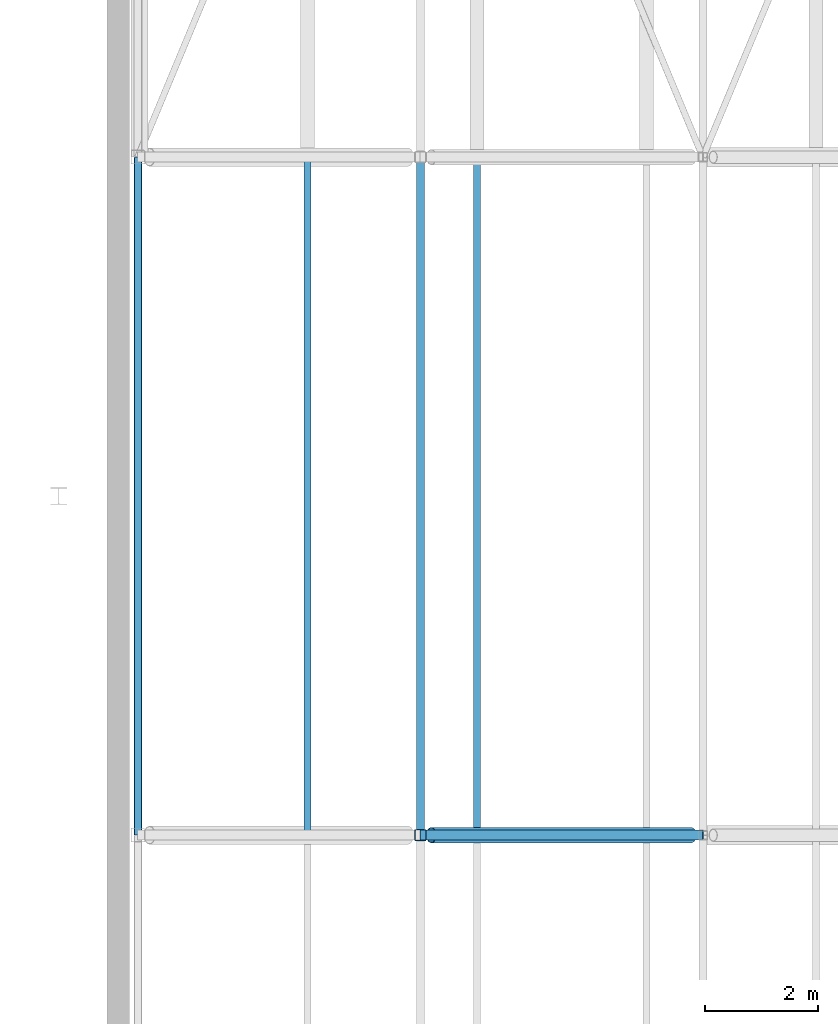
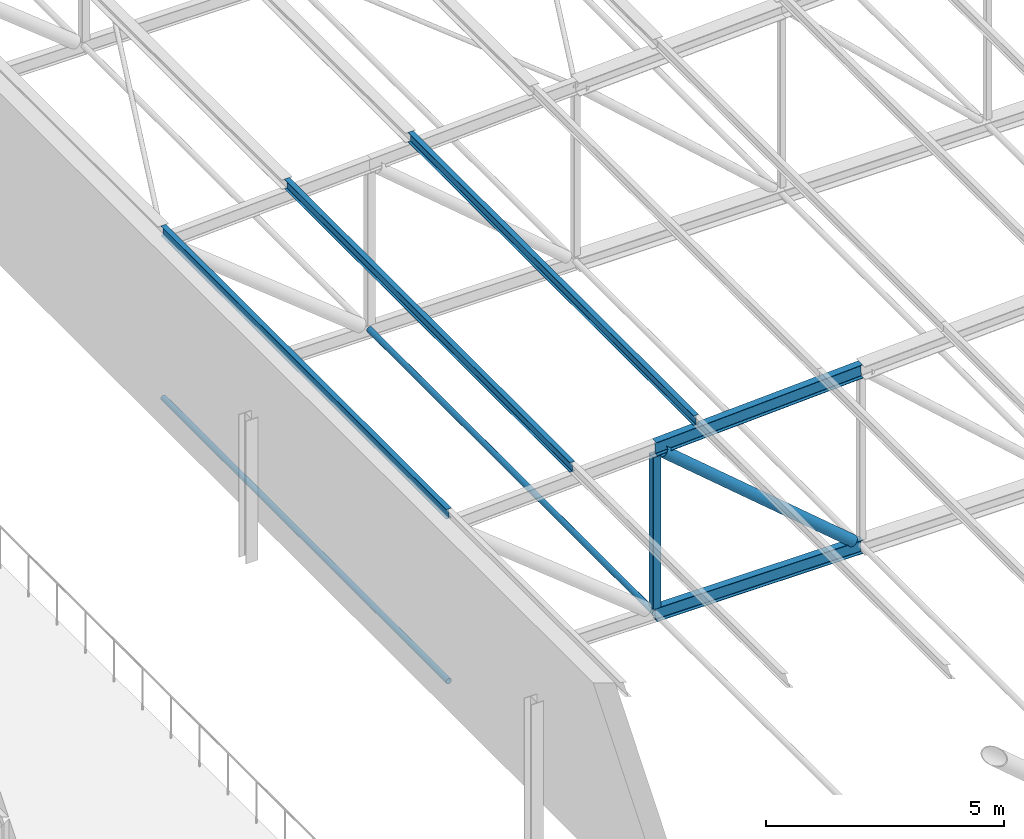
# One storey, part 89 of 156: 9 members.
"""IFC4 building model written with IfcOpenShell, lengths in metres."""

from ifc_helpers import new_model, si_unit, direction, frame, origin, origin_2d, place, context, subcontext, project, spatial, hollow_rectangle, hollow_circle, i_section, extrude, material, material_profile, profile_set, type_object, element, save


model = new_model("IFC4")

# Units and contexts
model_context = context("Model", 3, precision=1e-05, world=origin(), true_north=direction((0.0, 1.0)))
body_context = subcontext(model_context, "Body", "Model", "MODEL_VIEW")
ifc_project = project(units=[si_unit("LENGTHUNIT", "METRE"), si_unit("AREAUNIT", "SQUARE_METRE"), si_unit("VOLUMEUNIT", "CUBIC_METRE"), si_unit("PLANEANGLEUNIT", "RADIAN"), si_unit("MASSUNIT", "GRAM", prefix="KILO")], contexts=[model_context])

# Site, building, storey
site_placement = place(None, origin())
site = spatial("IfcSite", under=ifc_project, at=site_placement, CompositionType="ELEMENT")
building_placement = place(site_placement, origin())
building = spatial("IfcBuilding", under=site, at=building_placement, Name="Lilac Gate Convention Centre", CompositionType="ELEMENT")
storey_placement = place(building_placement, frame((0.0, 0.0, 17.0)))
storey = spatial("IfcBuildingStorey", under=building, at=storey_placement, Name="L03", CompositionType="ELEMENT", Elevation=17.0)

# Members
ifc_material = material(Name="Steel Q355B", Category="steel")
ifc_material_profile_1 = material_profile(ifc_material, hollow_circle(Radius=0.06982421875, WallThickness=0.0048828125, at=origin_2d()), Name="CHS139.7x5")
ifc_profile_set_1 = profile_set([ifc_material_profile_1], Name="Steel Q355B")
member_type_1 = type_object("IfcMemberType", Name="Bottom chord tie CHS139.7x5", PredefinedType="STRUT", material=ifc_profile_set_1)
for number, where, z_axis, x_axis, name in (
    (1, (30.0, 162.00341796875, 0.0), (0.0, 1.0, 0.0), (-1.0, 0.0, 0.0), "ST1 tie bay 12 node 1"),
    (2, (35.0, 162.00341796875, 0.0), (0.0, 1.0, 0.0), (-1.0, 0.0, 0.0), "ST1 tie bay 12 node 2"),
):
    element("IfcMember", number, at=place(storey_placement, frame(where, z_axis=z_axis, x_axis=x_axis)), inside=storey, type_object=member_type_1, Name=name, PredefinedType="STRUT", context=body_context, shape_type="SweptSolid", body=[
        extrude(hollow_circle(Radius=0.06982421875, WallThickness=0.0048828125, at=origin_2d()), origin(), (0.0, 0.0, 1.0), 11.9931640625),
    ])
ifc_material_profile_2 = material_profile(ifc_material, i_section(OverallWidth=0.125, OverallDepth=0.25, WebThickness=0.006103515625, FlangeThickness=0.009033203125, FilletRadius=0.008056640625, at=origin_2d()), Name="HN250x125x6x9")
ifc_profile_set_2 = profile_set([ifc_material_profile_2], Name="Steel Q355B")
member_type_2 = type_object("IfcMemberType", Name="Roof purlin HN250x125x6x9", PredefinedType="PURLIN", material=ifc_profile_set_2)
for number, where, z_axis, x_axis, name in (
    (3, (30.0, 162.0, 4.30029296875), (0.0, 1.0, 0.0), (-1.0, 0.0, 0.0), "PU2 purlin bay 12 line 1"),
    (4, (33.0, 162.0, 4.4501953125), (0.0, 1.0, 0.0), (-1.0, 0.0, 0.0), "PU2 purlin bay 12 line 2"),
    (5, (36.0, 162.0, 4.60009765625), (0.0, 1.0, 0.0), (-1.0, 0.0, 0.0), "PU2 purlin bay 12 line 3"),
):
    element("IfcMember", number, at=place(storey_placement, frame(where, z_axis=z_axis, x_axis=x_axis)), inside=storey, type_object=member_type_2, Name=name, PredefinedType="PURLIN", context=body_context, shape_type="SweptSolid", body=[
        extrude(i_section(OverallWidth=0.125, OverallDepth=0.25, WebThickness=0.006103515625, FlangeThickness=0.009033203125, FilletRadius=0.008056640625, at=origin_2d()), origin(), (0.0, 0.0, 1.0), 12.0),
    ])
ifc_material_profile_3 = material_profile(ifc_material, i_section(OverallWidth=0.175048828125, OverallDepth=0.35009765625, WebThickness=0.007080078125, FlangeThickness=0.010986328125, FilletRadius=0.012939453125, at=origin_2d()), Name="HN350x175x7x11")
ifc_profile_set_3 = profile_set([ifc_material_profile_3], Name="Steel Q355B")
member_type_3 = type_object("IfcMemberType", Name="Truss bottom chord HN350x175x7x11", PredefinedType="CHORD", material=ifc_profile_set_3)
member_1_placement = place(storey_placement, frame((35.0, 162.0, 0.0), z_axis=(1.0, 0.0, 0.0), x_axis=(0.0, 1.0, 0.0)))
element("IfcMember", 6, at=member_1_placement, inside=storey, type_object=member_type_3, Name="TB1 truss 12 bottom chord 2", PredefinedType="CHORD", context=body_context, shape_type="SweptSolid", body=[
    extrude(i_section(OverallWidth=0.175048828125, OverallDepth=0.35009765625, WebThickness=0.007080078125, FlangeThickness=0.010986328125, FilletRadius=0.012939453125, at=origin_2d()), origin(), (0.0, 0.0, 1.0), 5.0),
])
ifc_material_profile_4 = material_profile(ifc_material, hollow_circle(Radius=0.136474609375, WallThickness=0.010009765625, at=origin_2d()), Name="CHS273x10")
ifc_profile_set_4 = profile_set([ifc_material_profile_4], Name="Steel Q355B")
member_type_4 = type_object("IfcMemberType", Name="Truss diagonal CHS273x10", PredefinedType="BRACE", material=ifc_profile_set_4)
member_2_placement = place(storey_placement, frame((35.193115234375, 162.0, 4.085693359375), z_axis=(0.761961263863, 0.0, -0.647622600263), x_axis=(0.0, 1.0, 0.0)))
element("IfcMember", 7, at=member_2_placement, inside=storey, type_object=member_type_4, Name="TW2 truss 12 diagonal 2", PredefinedType="BRACE", context=body_context, shape_type="SweptSolid", body=[
    extrude(hollow_circle(Radius=0.136474609375, WallThickness=0.010009765625, at=origin_2d()), origin(), (0.0, 0.0, 1.0), 6.03857421875),
])
ifc_material_profile_5 = material_profile(ifc_material, i_section(OverallWidth=0.175048828125, OverallDepth=0.35009765625, WebThickness=0.007080078125, FlangeThickness=0.010986328125, FilletRadius=0.012939453125, at=origin_2d()), Name="HN350x175x7x11")
ifc_profile_set_5 = profile_set([ifc_material_profile_5], Name="Steel Q355B")
member_type_5 = type_object("IfcMemberType", Name="Truss top chord HN350x175x7x11", PredefinedType="CHORD", material=ifc_profile_set_5)
member_3_placement = place(storey_placement, frame((35.0, 162.0, 4.25), z_axis=(0.998752338878, 0.0, 0.049937616944), x_axis=(0.0, 1.0, 0.0)))
element("IfcMember", 8, at=member_3_placement, inside=storey, type_object=member_type_5, Name="TT1 truss 12 top chord 2", PredefinedType="CHORD", context=body_context, shape_type="SweptSolid", body=[
    extrude(i_section(OverallWidth=0.175048828125, OverallDepth=0.35009765625, WebThickness=0.007080078125, FlangeThickness=0.010986328125, FilletRadius=0.012939453125, at=origin_2d()), origin(), (0.0, 0.0, 1.0), 5.00634765625),
])
ifc_material_profile_6 = material_profile(ifc_material, hollow_rectangle(XDim=0.199951171875, YDim=0.199951171875, WallThickness=0.008056640625, InnerFilletRadius=0.011962890625, OuterFilletRadius=0.02001953125, at=origin_2d()), Name="SHS200x200x8")
ifc_profile_set_6 = profile_set([ifc_material_profile_6], Name="Steel Q355B")
member_type_6 = type_object("IfcMemberType", Name="Truss vertical SHS200x200x8", PredefinedType="STRUT", material=ifc_profile_set_6)
member_4_placement = place(storey_placement, frame((35.0, 162.0, 0.175048828125), z_axis=(0.0, 0.0, 1.0), x_axis=(1.0, 0.0, 0.0)))
element("IfcMember", 9, at=member_4_placement, inside=storey, type_object=member_type_6, Name="TV2 truss 12 vertical 2", PredefinedType="STRUT", context=body_context, shape_type="SweptSolid", body=[
    extrude(hollow_rectangle(XDim=0.199951171875, YDim=0.199951171875, WallThickness=0.008056640625, InnerFilletRadius=0.011962890625, OuterFilletRadius=0.02001953125, at=origin_2d()), origin(), (0.0, 0.0, 1.0), 3.899658203125),
])

save(model, "model.ifc")
